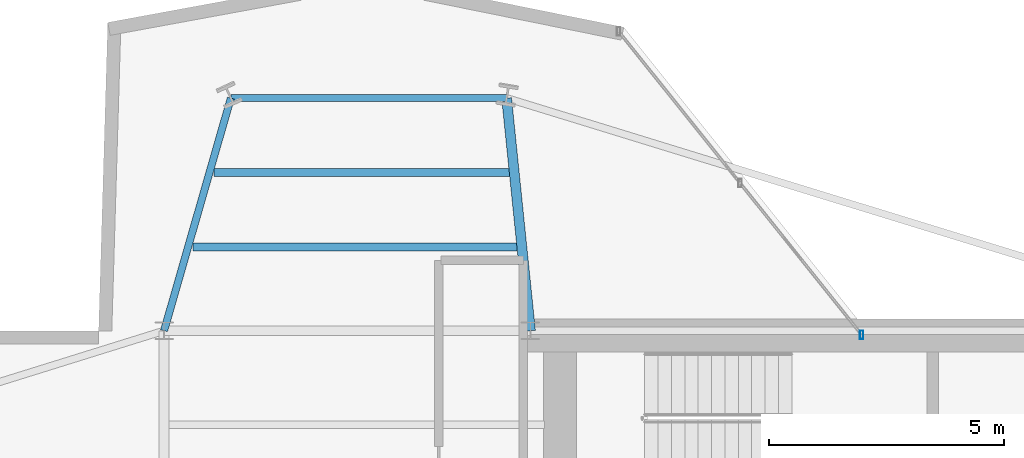
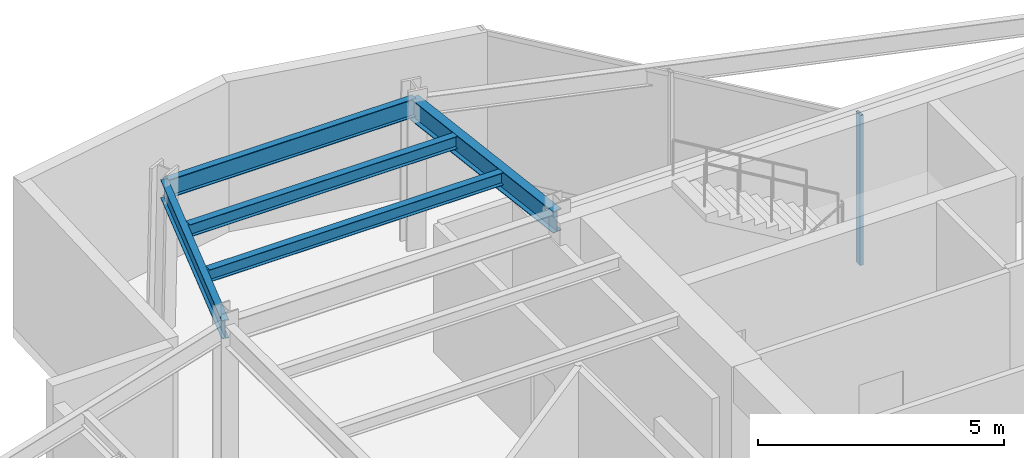
# One storey, part 11 of 23: 5 beams, 1 member, 1 element without a shape of its own.
"""IFC4 building model written with IfcOpenShell, lengths in metres."""

from ifc_helpers import new_model, si_unit, direction, frame, origin, origin_2d, place, context, subcontext, project, spatial, hollow_rectangle, i_section, extrude, material, layer, layer_set, material_profile, profile_set, type_object, element, aggregate, save


model = new_model("IFC4")

# Units and contexts
model_context = context("Model", 3, precision=1e-05, world=origin(), true_north=direction((0.0, 1.0)))
body_context = subcontext(model_context, "Body", "Model", "MODEL_VIEW")
ifc_project = project(units=[si_unit("LENGTHUNIT", "METRE"), si_unit("AREAUNIT", "SQUARE_METRE"), si_unit("VOLUMEUNIT", "CUBIC_METRE"), si_unit("PLANEANGLEUNIT", "RADIAN"), si_unit("MASSUNIT", "GRAM", prefix="KILO")], contexts=[model_context])

# Site, building, storey
site_placement = place(None, origin())
site = spatial("IfcSite", under=ifc_project, at=site_placement, CompositionType="ELEMENT")
building_placement = place(site_placement, origin())
building = spatial("IfcBuilding", under=site, at=building_placement, Name="Veymaron Broadcast Tower", CompositionType="ELEMENT")
storey_placement = place(building_placement, frame((0.0, 0.0, 252.60009765625)))
storey = spatial("IfcBuildingStorey", under=building, at=storey_placement, Name="L59", CompositionType="ELEMENT", Elevation=252.60009765625)

# Beams
ifc_material_1 = material(Name="Structural steel ASTM A992 Gr 50", Category="steel")
ifc_material_profile_1 = material_profile(ifc_material_1, i_section(OverallWidth=0.2099609375, OverallDepth=0.537109375, WebThickness=0.010986328125, FlangeThickness=0.017333984375, at=origin_2d()), Name="W530X101")
ifc_profile_set_1 = profile_set([ifc_material_profile_1], Name="Structural steel ASTM A992 Gr 50")
beam_type_1 = type_object("IfcBeamType", Name="BM-FG3", PredefinedType="BEAM", material=ifc_profile_set_1)
beam_1_placement = place(storey_placement, frame((39.0, 32.0, 3.46142578125), z_axis=(-0.102062466152, 0.994777991817, 0.0), x_axis=(-0.994777991817, -0.102062466152, 0.0)))
element("IfcBeam", 1, at=beam_1_placement, inside=storey, type_object=beam_type_1, Name="L59 primary structural floor girder", PredefinedType="BEAM", context=body_context, shape_type="SweptSolid", body=[
    extrude(i_section(OverallWidth=0.2099609375, OverallDepth=0.537109375, WebThickness=0.010986328125, FlangeThickness=0.017333984375, at=origin_2d()), origin(), (0.0, 0.0, 1.0), 4.977783203125),
])
ifc_material_profile_2 = material_profile(ifc_material_1, i_section(OverallWidth=0.1650390625, OverallDepth=0.31005859375, WebThickness=0.005859375, FlangeThickness=0.009765625, at=origin_2d()), Name="W310X39")
ifc_profile_set_2 = profile_set([ifc_material_profile_2], Name="Structural steel ASTM A992 Gr 50")
beam_type_2 = type_object("IfcBeamType", Name="BM-JS3", PredefinedType="JOIST", material=ifc_profile_set_2)
beam_2_placement = place(storey_placement, frame((31.81201171875, 33.78271484375, 3.574951171875), z_axis=(1.0, 0.0, 0.0), x_axis=(0.0, 1.0, 0.0)))
element("IfcBeam", 2, at=beam_2_placement, inside=storey, type_object=beam_type_2, Name="L59 Arm-B secondary joist 1", PredefinedType="JOIST", context=body_context, shape_type="SweptSolid", body=[
    extrude(i_section(OverallWidth=0.1650390625, OverallDepth=0.31005859375, WebThickness=0.005859375, FlangeThickness=0.009765625, at=origin_2d()), origin(), (0.0, 0.0, 1.0), 6.905029296875),
])
beam_3_placement = place(storey_placement, frame((32.26708984375, 35.367431640625, 3.574951171875), z_axis=(1.0, 0.0, 0.0), x_axis=(0.0, 1.0, 0.0)))
element("IfcBeam", 3, at=beam_3_placement, inside=storey, type_object=beam_type_2, Name="L59 Arm-B secondary joist 2", PredefinedType="JOIST", context=body_context, shape_type="SweptSolid", body=[
    extrude(i_section(OverallWidth=0.1650390625, OverallDepth=0.31005859375, WebThickness=0.005859375, FlangeThickness=0.009765625, at=origin_2d()), origin(), (0.0, 0.0, 1.0), 6.28759765625),
])
ifc_material_profile_3 = material_profile(ifc_material_1, i_section(OverallWidth=0.154052734375, OverallDepth=0.458984375, WebThickness=0.009033203125, FlangeThickness=0.015380859375, at=origin_2d()), Name="W460X68")
ifc_profile_set_3 = profile_set([ifc_material_profile_3], Name="Structural steel ASTM A992 Gr 50")
beam_type_3 = type_object("IfcBeamType", Name="BM-SP2", PredefinedType="SPANDREL", material=ifc_profile_set_3)
beam_4_placement = place(storey_placement, frame((31.199951171875, 32.0, 3.50048828125), z_axis=(0.276072707657, 0.961136754103, 0.0), x_axis=(-0.961136754103, 0.276072707657, 0.0)))
element("IfcBeam", 4, at=beam_4_placement, inside=storey, type_object=beam_type_3, Name="L59 primary structural floor girder", PredefinedType="SPANDREL", context=body_context, shape_type="SweptSolid", body=[
    extrude(i_section(OverallWidth=0.154052734375, OverallDepth=0.458984375, WebThickness=0.009033203125, FlangeThickness=0.015380859375, at=origin_2d()), origin(), (0.0, 0.0, 1.0), 5.152099609375),
])
beam_5_placement = place(storey_placement, frame((32.622314453125, 36.951904296875, 3.50048828125), z_axis=(1.0, 0.0, 0.0), x_axis=(0.0, 1.0, 0.0)))
element("IfcBeam", 5, at=beam_5_placement, inside=storey, type_object=beam_type_3, Name="L59 primary structural floor girder", PredefinedType="SPANDREL", context=body_context, shape_type="SweptSolid", body=[
    extrude(i_section(OverallWidth=0.154052734375, OverallDepth=0.458984375, WebThickness=0.009033203125, FlangeThickness=0.015380859375, at=origin_2d()), origin(), (0.0, 0.0, 1.0), 5.86962890625),
])

# Curtain wall, member
ifc_material_2 = material(Name="Anodised aluminium AA 6063-T6 and laminated low-E dark glass", Category="aluminium")
ifc_layer = layer(ifc_material_2, 0.179931640625)
ifc_layer_set = layer_set([ifc_layer], Name="Anodised aluminium AA 6063-T6 and laminated low-E dark glass")
curtain_wall_type = type_object("IfcCurtainWallType", Name="CW-SYS-05", PredefinedType="NOTDEFINED", material=ifc_layer_set)
curtain_wall_placement = place(storey_placement, origin())
curtain_wall = element("IfcCurtainWall", 6, at=curtain_wall_placement, inside=storey, type_object=curtain_wall_type, Name="L59 dark-glass curtain wall CW-L59-E5-1", PredefinedType="NOTDEFINED")
ifc_material_3 = material(Name="Anodised aluminium AA 6063-T6", Category="aluminium")
ifc_material_profile_4 = material_profile(ifc_material_3, hollow_rectangle(XDim=0.074951171875, YDim=0.179931640625, WallThickness=0.0048828125, at=origin_2d()), Name="AL180X75X5")
ifc_profile_set_4 = profile_set([ifc_material_profile_4], Name="Anodised aluminium AA 6063-T6")
member_type = type_object("IfcMemberType", Name="CW-MUL-02", PredefinedType="MULLION", material=ifc_profile_set_4)
member_placement = place(storey_placement, frame((46.050048828125, 31.91259765625, 0.0), z_axis=(0.0, 0.0, 1.0), x_axis=(1.0, 0.0, 0.0)))
member = element("IfcMember", 7, at=member_placement, type_object=member_type, Name="CW-L59-E5-1 mullion 0", PredefinedType="MULLION", context=body_context, shape_type="SweptSolid", body=[
    extrude(hollow_rectangle(XDim=0.074951171875, YDim=0.179931640625, WallThickness=0.0048828125, at=origin_2d()), origin(), (0.0, 0.0, 1.0), 3.72998046875),
])
aggregate(curtain_wall, [member])

save(model, "model.ifc")
